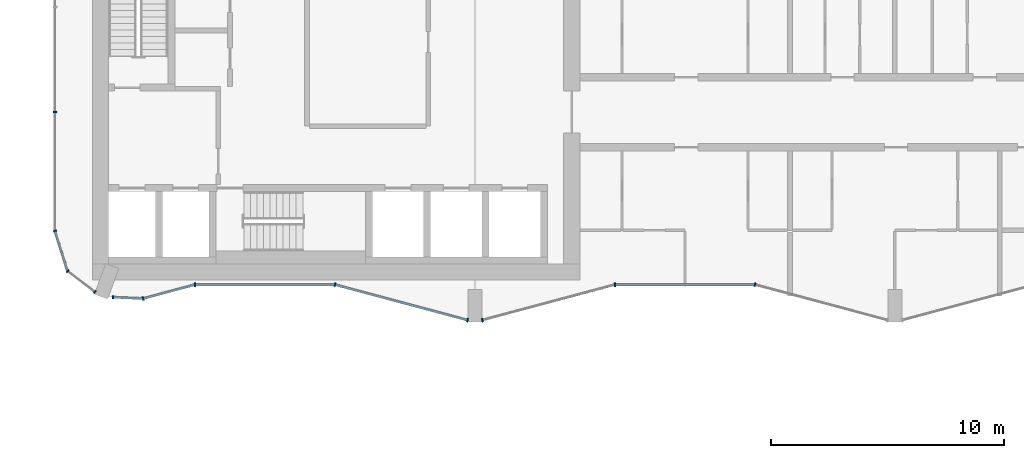
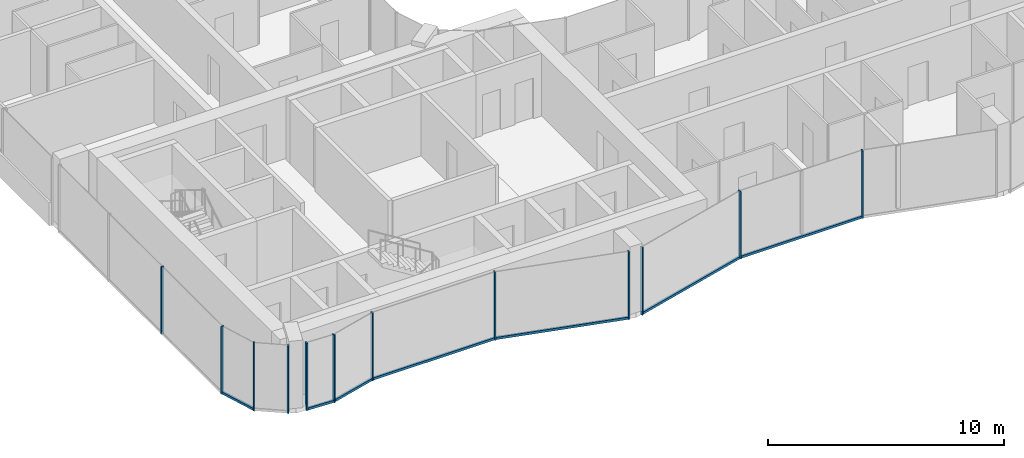
# One storey, part 2 of 23: 19 members, 10 elements without a shape of their own.
"""IFC4 building model written with IfcOpenShell, lengths in metres."""

from ifc_helpers import new_model, si_unit, direction, frame, origin, origin_2d, place, context, subcontext, project, spatial, rectangle, extrude, material, layer, layer_set, material_profile, profile_set, type_object, element, aggregate, save


model = new_model("IFC4")

# Units and contexts
model_context = context("Model", 3, precision=1e-05, world=origin(), true_north=direction((0.0, 1.0)))
body_context = subcontext(model_context, "Body", "Model", "MODEL_VIEW")
ifc_project = project(units=[si_unit("LENGTHUNIT", "METRE"), si_unit("AREAUNIT", "SQUARE_METRE"), si_unit("VOLUMEUNIT", "CUBIC_METRE"), si_unit("PLANEANGLEUNIT", "RADIAN"), si_unit("MASSUNIT", "GRAM", prefix="KILO")], contexts=[model_context])

# Site, building, storey
site_placement = place(None, origin())
site = spatial("IfcSite", under=ifc_project, at=site_placement, CompositionType="ELEMENT")
building_placement = place(site_placement, origin())
building = spatial("IfcBuilding", under=site, at=building_placement, Name="Plateau Cross Towers", CompositionType="ELEMENT")
storey_placement = place(building_placement, frame((0.0, 0.0, 85.300048828125)))
storey = spatial("IfcBuildingStorey", under=building, at=storey_placement, Name="L21", CompositionType="ELEMENT", Elevation=85.300048828125)

# Curtain wall, member
ifc_material_1 = material(Name="Dark low-iron glass", Category="glass")
ifc_layer_1 = layer(ifc_material_1, 0.239990234375)
ifc_layer_set_1 = layer_set([ifc_layer_1], Name="Dark low-iron glass")
curtain_wall_type_1 = type_object("IfcCurtainWallType", Name="Curtain wall flush unitised CW-B", PredefinedType="NOTDEFINED", material=ifc_layer_set_1)
curtain_wall_1_placement = place(storey_placement, origin())
curtain_wall_1 = element("IfcCurtainWall", 1, at=curtain_wall_1_placement, inside=storey, type_object=curtain_wall_type_1, Name="ENV/A/L21/A0_177", PredefinedType="NOTDEFINED")
ifc_material_2 = material(Name="Black anodised aluminium", Category="aluminium")
ifc_material_profile_1 = material_profile(ifc_material_2, rectangle(XDim=0.06005859375, YDim=0.139892578125, at=origin_2d()), Name="MULLION 60x140")
ifc_profile_set_1 = profile_set([ifc_material_profile_1], Name="Black anodised aluminium")
member_type_1 = type_object("IfcMemberType", Name="Mullion 60x140 flush unitised", PredefinedType="MULLION", material=ifc_profile_set_1)
member_1_placement = place(storey_placement, frame((0.0, 9.0, -0.25), z_axis=(0.0, 0.0, 1.0), x_axis=(0.0, -1.0, 0.0)))
member_1 = element("IfcMember", 2, at=member_1_placement, type_object=member_type_1, Name="CW-B mullion 3", PredefinedType="MULLION", context=body_context, shape_type="SweptSolid", body=[
    extrude(rectangle(XDim=0.06005859375, YDim=0.139892578125, at=origin_2d()), origin(), (0.0, 0.0, 1.0), 3.5),
])
aggregate(curtain_wall_1, [member_1])

curtain_wall_2_placement = place(storey_placement, origin())
curtain_wall_2 = element("IfcCurtainWall", 3, at=curtain_wall_2_placement, inside=storey, type_object=curtain_wall_type_1, Name="ENV/A/L21/A0_39", PredefinedType="NOTDEFINED")
member_2_placement = place(storey_placement, frame((0.0, 3.9091796875, -0.25), z_axis=(0.0, 0.0, 1.0), x_axis=(0.300686174994, -0.95372313811, 0.0)))
member_2 = element("IfcMember", 4, at=member_2_placement, type_object=member_type_1, Name="CW-B mullion 1", PredefinedType="MULLION", context=body_context, shape_type="SweptSolid", body=[
    extrude(rectangle(XDim=0.06005859375, YDim=0.139892578125, at=origin_2d()), origin(), (0.0, 0.0, 1.0), 3.5),
])

# Curtain wall, members
curtain_wall_3_placement = place(storey_placement, origin())
curtain_wall_3 = element("IfcCurtainWall", 5, at=curtain_wall_3_placement, inside=storey, type_object=curtain_wall_type_1, Name="ENV/A/L21/A5_22", PredefinedType="NOTDEFINED")
member_3_placement = place(storey_placement, frame((0.54248046875, 2.1884765625, -0.25), z_axis=(0.0, 0.0, 1.0), x_axis=(0.793315514529, -0.608810721331, 0.0)))
member_3 = element("IfcMember", 6, at=member_3_placement, type_object=member_type_1, Name="CW-B mullion 1", PredefinedType="MULLION", context=body_context, shape_type="SweptSolid", body=[
    extrude(rectangle(XDim=0.06005859375, YDim=0.139892578125, at=origin_2d()), origin(), (0.0, 0.0, 1.0), 3.5),
])
member_4_placement = place(storey_placement, frame((1.709716796875, 1.292724609375, -0.25), z_axis=(0.0, 0.0, 1.0), x_axis=(0.793315514529, -0.608810721331, 0.0)))
member_4 = element("IfcMember", 7, at=member_4_placement, type_object=member_type_1, Name="CW-B mullion 2", PredefinedType="MULLION", context=body_context, shape_type="SweptSolid", body=[
    extrude(rectangle(XDim=0.06005859375, YDim=0.139892578125, at=origin_2d()), origin(), (0.0, 0.0, 1.0), 3.5),
])
aggregate(curtain_wall_3, [member_3, member_4])

# Curtain wall, member
curtain_wall_4_placement = place(storey_placement, origin())
curtain_wall_4 = element("IfcCurtainWall", 8, at=curtain_wall_4_placement, inside=storey, type_object=curtain_wall_type_1, Name="ENV/A/L21/A25_11", PredefinedType="NOTDEFINED")
member_5_placement = place(storey_placement, frame((2.483642578125, 1.06787109375, -0.25), z_axis=(0.0, 0.0, 1.0), x_axis=(0.999043701491, -0.043722791671, 0.0)))
member_5 = element("IfcMember", 9, at=member_5_placement, type_object=member_type_1, Name="CW-B mullion 1", PredefinedType="MULLION", context=body_context, shape_type="SweptSolid", body=[
    extrude(rectangle(XDim=0.06005859375, YDim=0.139892578125, at=origin_2d()), origin(), (0.0, 0.0, 1.0), 3.5),
])

ifc_layer_2 = layer(ifc_material_1, 0.260009765625)
ifc_layer_set_2 = layer_set([ifc_layer_2], Name="Dark low-iron glass")
curtain_wall_type_2 = type_object("IfcCurtainWallType", Name="Curtain wall fluted unitised CW-A", PredefinedType="NOTDEFINED", material=ifc_layer_set_2)
curtain_wall_5_placement = place(storey_placement, origin())
curtain_wall_5 = element("IfcCurtainWall", 10, at=curtain_wall_5_placement, inside=storey, type_object=curtain_wall_type_2, Name="ENV/A/L21/A38_10", PredefinedType="NOTDEFINED")
ifc_material_profile_2 = material_profile(ifc_material_2, rectangle(XDim=0.06005859375, YDim=0.159912109375, at=origin_2d()), Name="MULLION 60x160")
ifc_profile_set_2 = profile_set([ifc_material_profile_2], Name="Black anodised aluminium")
member_type_2 = type_object("IfcMemberType", Name="Mullion 60x160 fluted unitised", PredefinedType="MULLION", material=ifc_profile_set_2)
member_6_placement = place(storey_placement, frame((3.776123046875, 1.01123046875, -0.25), z_axis=(0.0, 0.0, 1.0), x_axis=(0.965957962328, 0.258699081978, 0.0)))
member_6 = element("IfcMember", 11, at=member_6_placement, type_object=member_type_2, Name="CW-A mullion 1", PredefinedType="MULLION", context=body_context, shape_type="SweptSolid", body=[
    extrude(rectangle(XDim=0.06005859375, YDim=0.159912109375, at=origin_2d()), origin(), (0.0, 0.0, 1.0), 3.5),
])

curtain_wall_6_placement = place(storey_placement, origin())
curtain_wall_6 = element("IfcCurtainWall", 12, at=curtain_wall_6_placement, inside=storey, type_object=curtain_wall_type_2, Name="ENV/A/L21/A60_16", PredefinedType="NOTDEFINED")
member_7_placement = place(storey_placement, frame((6.0, 1.60693359375, -0.25), z_axis=(0.0, 0.0, 1.0), x_axis=(1.0, 0.0, 0.0)))
member_7 = element("IfcMember", 13, at=member_7_placement, type_object=member_type_2, Name="CW-A mullion 1", PredefinedType="MULLION", context=body_context, shape_type="SweptSolid", body=[
    extrude(rectangle(XDim=0.06005859375, YDim=0.159912109375, at=origin_2d()), origin(), (0.0, 0.0, 1.0), 3.5),
])

# Curtain wall, members
curtain_wall_7_placement = place(storey_placement, origin())
curtain_wall_7 = element("IfcCurtainWall", 14, at=curtain_wall_7_placement, inside=storey, type_object=curtain_wall_type_2, Name="ENV/A/L21/A120_16", PredefinedType="NOTDEFINED")
member_8_placement = place(storey_placement, frame((12.0, 1.60693359375, -0.25), z_axis=(0.0, 0.0, 1.0), x_axis=(0.965957983404, -0.258699003279, 0.0)))
member_8 = element("IfcMember", 15, at=member_8_placement, type_object=member_type_2, Name="CW-A mullion 1", PredefinedType="MULLION", context=body_context, shape_type="SweptSolid", body=[
    extrude(rectangle(XDim=0.06005859375, YDim=0.159912109375, at=origin_2d()), origin(), (0.0, 0.0, 1.0), 3.5),
])
member_9_placement = place(storey_placement, frame((17.68212890625, 0.085205078125, -0.25), z_axis=(0.0, 0.0, 1.0), x_axis=(0.965957983404, -0.258699003279, 0.0)))
member_9 = element("IfcMember", 16, at=member_9_placement, type_object=member_type_2, Name="CW-A mullion 2", PredefinedType="MULLION", context=body_context, shape_type="SweptSolid", body=[
    extrude(rectangle(XDim=0.06005859375, YDim=0.159912109375, at=origin_2d()), origin(), (0.0, 0.0, 1.0), 3.5),
])

# Curtain wall, member
curtain_wall_8_placement = place(storey_placement, origin())
curtain_wall_8 = element("IfcCurtainWall", 17, at=curtain_wall_8_placement, inside=storey, type_object=curtain_wall_type_2, Name="ENV/A/L21/A183_1", PredefinedType="NOTDEFINED")
member_10_placement = place(storey_placement, frame((18.31787109375, 0.085205078125, -0.25), z_axis=(0.0, 0.0, 1.0), x_axis=(0.965957983404, 0.258699003279, 0.0)))
member_10 = element("IfcMember", 18, at=member_10_placement, type_object=member_type_2, Name="CW-A mullion 1", PredefinedType="MULLION", context=body_context, shape_type="SweptSolid", body=[
    extrude(rectangle(XDim=0.06005859375, YDim=0.159912109375, at=origin_2d()), origin(), (0.0, 0.0, 1.0), 3.5),
])

curtain_wall_9_placement = place(storey_placement, origin())
curtain_wall_9 = element("IfcCurtainWall", 19, at=curtain_wall_9_placement, inside=storey, type_object=curtain_wall_type_2, Name="ENV/A/L21/A240_16", PredefinedType="NOTDEFINED")
member_11_placement = place(storey_placement, frame((24.0, 1.60693359375, -0.25), z_axis=(0.0, 0.0, 1.0), x_axis=(1.0, 0.0, 0.0)))
member_11 = element("IfcMember", 20, at=member_11_placement, type_object=member_type_2, Name="CW-A mullion 1", PredefinedType="MULLION", context=body_context, shape_type="SweptSolid", body=[
    extrude(rectangle(XDim=0.06005859375, YDim=0.159912109375, at=origin_2d()), origin(), (0.0, 0.0, 1.0), 3.5),
])

curtain_wall_10_placement = place(storey_placement, origin())
curtain_wall_10 = element("IfcCurtainWall", 21, at=curtain_wall_10_placement, inside=storey, type_object=curtain_wall_type_2, Name="ENV/A/L21/A300_16", PredefinedType="NOTDEFINED")
member_12_placement = place(storey_placement, frame((30.0, 1.60693359375, -0.25), z_axis=(0.0, 0.0, 1.0), x_axis=(0.965957983404, -0.258699003279, 0.0)))
member_12 = element("IfcMember", 22, at=member_12_placement, type_object=member_type_2, Name="CW-A mullion 1", PredefinedType="MULLION", context=body_context, shape_type="SweptSolid", body=[
    extrude(rectangle(XDim=0.06005859375, YDim=0.159912109375, at=origin_2d()), origin(), (0.0, 0.0, 1.0), 3.5),
])
aggregate(curtain_wall_10, [member_12])

# Member
ifc_material_profile_3 = material_profile(ifc_material_2, rectangle(XDim=0.10009765625, YDim=0.1201171875, at=origin_2d()), Name="TRANSOM 100x120")
ifc_profile_set_3 = profile_set([ifc_material_profile_3], Name="Black anodised aluminium")
member_type_3 = type_object("IfcMemberType", Name="Transom 100x120 flush unitised", PredefinedType="USERDEFINED", material=ifc_profile_set_3)
member_13_placement = place(storey_placement, frame((0.0, 3.9091796875, -0.18994140625), z_axis=(0.30067799945, -0.953725715626, 0.0), x_axis=(0.953725715626, 0.30067799945, 0.0)))
member_13 = element("IfcMember", 23, at=member_13_placement, type_object=member_type_3, Name="CW-B transom", ObjectType="TRANSOM", PredefinedType="USERDEFINED", context=body_context, shape_type="SweptSolid", body=[
    extrude(rectangle(XDim=0.10009765625, YDim=0.1201171875, at=origin_2d()), origin(), (0.0, 0.0, 1.0), 1.80419921875),
])

aggregate(curtain_wall_2, [member_2, member_13])

member_14_placement = place(storey_placement, frame((2.483642578125, 1.06787109375, -0.18994140625), z_axis=(0.999041144614, -0.043781175963, 0.0), x_axis=(0.043781175963, 0.999041144614, 0.0)))
member_14 = element("IfcMember", 24, at=member_14_placement, type_object=member_type_3, Name="CW-B transom", ObjectType="TRANSOM", PredefinedType="USERDEFINED", context=body_context, shape_type="SweptSolid", body=[
    extrude(rectangle(XDim=0.10009765625, YDim=0.1201171875, at=origin_2d()), origin(), (0.0, 0.0, 1.0), 1.293701171875),
])

aggregate(curtain_wall_4, [member_5, member_14])

ifc_material_profile_4 = material_profile(ifc_material_2, rectangle(XDim=0.10009765625, YDim=0.1201171875, at=origin_2d()), Name="TRANSOM 100x120")
ifc_profile_set_4 = profile_set([ifc_material_profile_4], Name="Black anodised aluminium")
member_type_4 = type_object("IfcMemberType", Name="Transom 100x120 fluted unitised", PredefinedType="USERDEFINED", material=ifc_profile_set_4)
member_15_placement = place(storey_placement, frame((3.776123046875, 1.01123046875, -0.18994140625), z_axis=(0.965945685136, 0.258744919501, 0.0), x_axis=(-0.258744919501, 0.965945685136, 0.0)))
member_15 = element("IfcMember", 25, at=member_15_placement, type_object=member_type_4, Name="CW-A transom", ObjectType="TRANSOM", PredefinedType="USERDEFINED", context=body_context, shape_type="SweptSolid", body=[
    extrude(rectangle(XDim=0.10009765625, YDim=0.1201171875, at=origin_2d()), origin(), (0.0, 0.0, 1.0), 2.30224609375),
])

aggregate(curtain_wall_5, [member_6, member_15])

member_16_placement = place(storey_placement, frame((6.0, 1.60693359375, -0.18994140625), z_axis=(1.0, 0.0, 0.0), x_axis=(0.0, 1.0, 0.0)))
member_16 = element("IfcMember", 26, at=member_16_placement, type_object=member_type_4, Name="CW-A transom", ObjectType="TRANSOM", PredefinedType="USERDEFINED", context=body_context, shape_type="SweptSolid", body=[
    extrude(rectangle(XDim=0.10009765625, YDim=0.1201171875, at=origin_2d()), origin(), (0.0, 0.0, 1.0), 6.0),
])

aggregate(curtain_wall_6, [member_7, member_16])

member_17_placement = place(storey_placement, frame((12.0, 1.60693359375, -0.18994140625), z_axis=(0.965959534794, -0.258693210465, 0.0), x_axis=(0.258693210465, 0.965959534794, 0.0)))
member_17 = element("IfcMember", 27, at=member_17_placement, type_object=member_type_4, Name="CW-A transom", ObjectType="TRANSOM", PredefinedType="USERDEFINED", context=body_context, shape_type="SweptSolid", body=[
    extrude(rectangle(XDim=0.10009765625, YDim=0.1201171875, at=origin_2d()), origin(), (0.0, 0.0, 1.0), 5.88232421875),
])

aggregate(curtain_wall_7, [member_8, member_9, member_17])

member_18_placement = place(storey_placement, frame((18.31787109375, 0.085205078125, -0.18994140625), z_axis=(0.965959534794, 0.258693210465, 0.0), x_axis=(-0.258693210465, 0.965959534794, 0.0)))
member_18 = element("IfcMember", 28, at=member_18_placement, type_object=member_type_4, Name="CW-A transom", ObjectType="TRANSOM", PredefinedType="USERDEFINED", context=body_context, shape_type="SweptSolid", body=[
    extrude(rectangle(XDim=0.10009765625, YDim=0.1201171875, at=origin_2d()), origin(), (0.0, 0.0, 1.0), 5.88232421875),
])

aggregate(curtain_wall_8, [member_10, member_18])

member_19_placement = place(storey_placement, frame((24.0, 1.60693359375, -0.18994140625), z_axis=(1.0, 0.0, 0.0), x_axis=(0.0, 1.0, 0.0)))
member_19 = element("IfcMember", 29, at=member_19_placement, type_object=member_type_4, Name="CW-A transom", ObjectType="TRANSOM", PredefinedType="USERDEFINED", context=body_context, shape_type="SweptSolid", body=[
    extrude(rectangle(XDim=0.10009765625, YDim=0.1201171875, at=origin_2d()), origin(), (0.0, 0.0, 1.0), 6.0),
])

aggregate(curtain_wall_9, [member_11, member_19])

save(model, "model.ifc")
